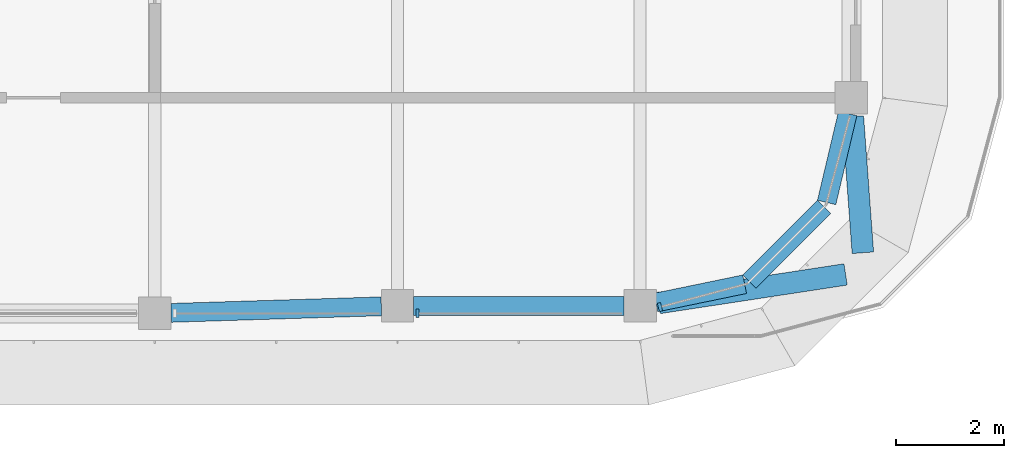
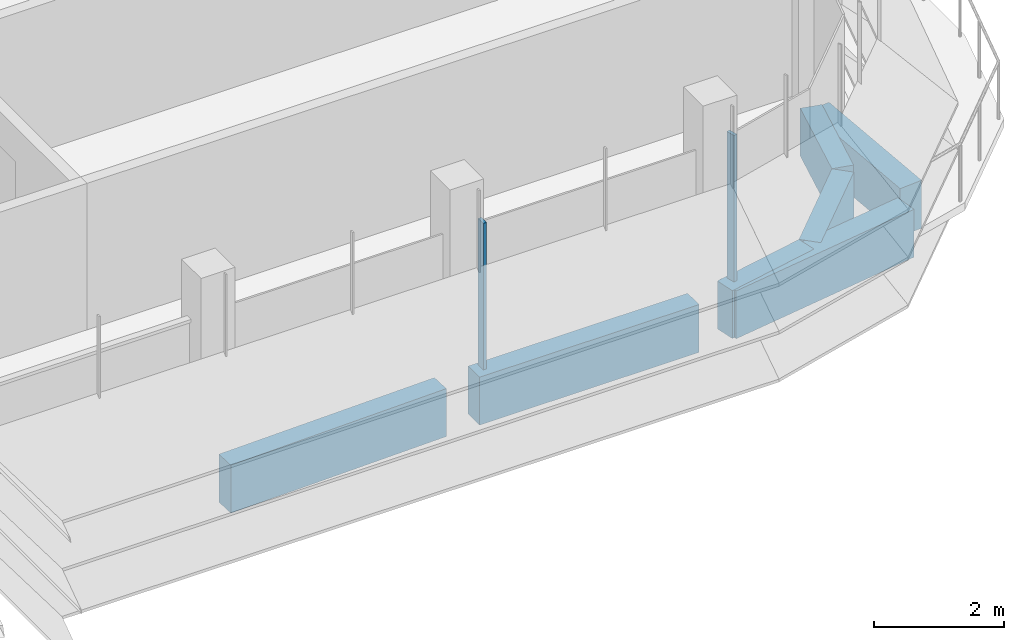
# One storey, part 5 of 20: 7 beams, 2 members, 2 elements without a shape of their own.
"""IFC4 building model written with IfcOpenShell, lengths in metres."""

from ifc_helpers import new_model, si_unit, direction, frame, origin, origin_2d, place, context, subcontext, project, spatial, polyline, rectangle, outline, extrude, source, transform, mapped, material, material_profile, profile_set, type_object, element, aggregate, save


model = new_model("IFC4")

# Units and contexts
model_context = context("Model", 3, precision=1e-05, world=origin(), true_north=direction((0.0, 1.0)))
body_context = subcontext(model_context, "Body", "Model", "MODEL_VIEW")
ifc_project = project(units=[si_unit("LENGTHUNIT", "METRE"), si_unit("AREAUNIT", "SQUARE_METRE"), si_unit("VOLUMEUNIT", "CUBIC_METRE"), si_unit("PLANEANGLEUNIT", "RADIAN"), si_unit("MASSUNIT", "GRAM", prefix="KILO")], contexts=[model_context])

# Site, building, storey
site_placement = place(None, origin())
site = spatial("IfcSite", under=ifc_project, at=site_placement, CompositionType="ELEMENT")
building_placement = place(site_placement, origin())
building = spatial("IfcBuilding", under=site, at=building_placement, Name="Zarbagh Exchange Tower", CompositionType="ELEMENT")
storey_placement = place(building_placement, frame((0.0, 0.0, 249.800048828125)))
storey = spatial("IfcBuildingStorey", under=building, at=storey_placement, Name="L61", CompositionType="ELEMENT", Elevation=249.800048828125)

# Beams
ifc_material_1 = material(Name="Concrete C40/50", Category="concrete")
ifc_material_profile_1 = material_profile(ifc_material_1, rectangle(XDim=0.35009765625, YDim=0.89990234375, at=origin_2d()), Name="RC spandrel beam 350 x 900 C40/50")
ifc_profile_set_1 = profile_set([ifc_material_profile_1], Name="Concrete C40/50")
beam_type_1 = type_object("IfcBeamType", Name="RC spandrel beam 350 x 900 C40/50", PredefinedType="SPANDREL", material=ifc_profile_set_1)
beam_1_placement = place(storey_placement, frame((28.600830078125, -2.5419921875, -0.60009765625), z_axis=(-0.230258391117, -0.973129525459, 0.0), x_axis=(0.973129525459, -0.230258391117, 0.0)))
element("IfcBeam", 1, at=beam_1_placement, inside=storey, type_object=beam_type_1, Name="RC spandrel beam", PredefinedType="SPANDREL", context=body_context, shape_type="SweptSolid", body=[
    extrude(rectangle(XDim=0.35009765625, YDim=0.89990234375, at=origin_2d()), origin(), (0.0, 0.0, 1.0), 1.696533203125),
])
beam_2_placement = place(storey_placement, frame((28.163818359375, -4.2763671875, -0.60009765625), z_axis=(-0.707106781187, -0.707106781187, 0.0), x_axis=(0.707106781187, -0.707106781187, 0.0)))
element("IfcBeam", 2, at=beam_2_placement, inside=storey, type_object=beam_type_1, Name="RC spandrel beam", PredefinedType="SPANDREL", context=body_context, shape_type="SweptSolid", body=[
    extrude(rectangle(XDim=0.35009765625, YDim=0.89990234375, at=origin_2d()), origin(), (0.0, 0.0, 1.0), 1.95947265625),
])
beam_3_placement = place(storey_placement, frame((26.68994140625, -5.70947265625, -0.60009765625), z_axis=(-0.979349753205, -0.202173343684, 0.0), x_axis=(0.202173343684, -0.979349753205, 0.0)))
element("IfcBeam", 3, at=beam_3_placement, inside=storey, type_object=beam_type_1, Name="RC spandrel beam", PredefinedType="SPANDREL", context=body_context, shape_type="SweptSolid", body=[
    extrude(rectangle(XDim=0.35009765625, YDim=0.89990234375, at=origin_2d()), origin(), (0.0, 0.0, 1.0), 1.680908203125),
])
beam_4_placement = place(storey_placement, frame((24.449951171875, -6.110107421875, -0.60009765625), z_axis=(-1.0, 0.0, 0.0), x_axis=(0.0, -1.0, 0.0)))
element("IfcBeam", 4, at=beam_4_placement, inside=storey, type_object=beam_type_1, Name="RC spandrel beam", PredefinedType="SPANDREL", context=body_context, shape_type="SweptSolid", body=[
    extrude(rectangle(XDim=0.35009765625, YDim=0.89990234375, at=origin_2d()), origin(), (0.0, 0.0, 1.0), 3.89990234375),
])
beam_5_placement = place(storey_placement, frame((19.9501953125, -6.119384765625, -0.60009765625), z_axis=(-0.999516460907, -0.031094121249, 0.0), x_axis=(0.031094121249, -0.999516460907, 0.0)))
element("IfcBeam", 5, at=beam_5_placement, inside=storey, type_object=beam_type_1, Name="RC spandrel beam", PredefinedType="SPANDREL", context=body_context, shape_type="SweptSolid", body=[
    extrude(rectangle(XDim=0.35009765625, YDim=0.89990234375, at=origin_2d()), origin(), (0.0, 0.0, 1.0), 3.90234375),
])
ifc_material_2 = material(Name="Concrete C50/60", Category="concrete")
ifc_material_profile_2 = material_profile(ifc_material_2, rectangle(XDim=0.39990234375, YDim=0.89990234375, at=origin_2d()), Name="RC spandrel beam 400 x 900 C50/60")
ifc_profile_set_2 = profile_set([ifc_material_profile_2], Name="Concrete C50/60")
beam_type_2 = type_object("IfcBeamType", Name="RC spandrel beam 400 x 900 C50/60", PredefinedType="SPANDREL", material=ifc_profile_set_2)
beam_6_placement = place(storey_placement, frame((28.69580078125, -2.59912109375, -0.60009765625), z_axis=(0.073520300379, -0.997293720742, 0.0), x_axis=(0.997293720742, 0.073520300379, 0.0)))
element("IfcBeam", 6, at=beam_6_placement, inside=storey, type_object=beam_type_2, Name="RC spandrel beam", PredefinedType="SPANDREL", context=body_context, shape_type="SweptSolid", body=[
    extrude(rectangle(XDim=0.39990234375, YDim=0.89990234375, at=origin_2d()), origin(), (0.0, 0.0, 1.0), 2.53369140625),
])
beam_7_placement = place(storey_placement, frame((28.56201171875, -5.52783203125, -0.60009765625), z_axis=(-0.988540131327, -0.150958301382, 0.0), x_axis=(0.150958301382, -0.988540131327, 0.0)))
element("IfcBeam", 7, at=beam_7_placement, inside=storey, type_object=beam_type_2, Name="RC spandrel beam", PredefinedType="SPANDREL", context=body_context, shape_type="SweptSolid", body=[
    extrude(rectangle(XDim=0.39990234375, YDim=0.89990234375, at=origin_2d()), origin(), (0.0, 0.0, 1.0), 3.50634765625),
])

# Curtain wall, member
ifc_material_3 = material(Name="Anodised aluminium frame and glazing", Category="aluminium")
curtain_wall_type = type_object("IfcCurtainWallType", Name="CWB Ribbon glazing, upper zones", PredefinedType="NOTDEFINED", material=ifc_material_3)
curtain_wall_1_placement = place(storey_placement, origin())
curtain_wall_1 = element("IfcCurtainWall", 8, at=curtain_wall_1_placement, inside=storey, type_object=curtain_wall_type, Name="CWB75 curtain wall", PredefinedType="NOTDEFINED")
ifc_material_4 = material(Name="Anodised aluminium frame", Category="aluminium")
member_type = type_object("IfcMemberType", Name="MUB Mullion, anodised aluminium frame", PredefinedType="MULLION", material=ifc_material_4)
shared_shape = source(origin(), body_context, "Body", "SweptSolid", [
    extrude(outline(polyline([(0.0, -0.080078125), (0.06005859375, -0.080078125), (0.06005859375, 0.080078125), (0.0, 0.080078125), (0.0, -0.080078125)])), origin(), (0.0, 0.0, 1.0), 2.75),
])
placement = place(storey_placement, origin())
member_1 = element("IfcMember", 9, at=placement, type_object=member_type, Name="CWB75 mullion 3.1", PredefinedType="MULLION", context=body_context, shape_type="MappedRepresentation", body=[
    mapped(shared_shape, transform((20.590087890625, -6.25, 0.0), x_axis=(1.0, 0.0, 0.0), y_axis=(0.0, 1.0, 0.0), z_axis=(0.0, 0.0, 1.0))),
])
aggregate(curtain_wall_1, [member_1])

curtain_wall_2_placement = place(storey_placement, origin())
curtain_wall_2 = element("IfcCurtainWall", 10, at=curtain_wall_2_placement, inside=storey, type_object=curtain_wall_type, Name="CWB76 curtain wall", PredefinedType="NOTDEFINED")
member_2 = element("IfcMember", 11, at=placement, type_object=member_type, Name="CWB76 mullion 1.1", PredefinedType="MULLION", context=body_context, shape_type="MappedRepresentation", body=[
    mapped(shared_shape, transform((25.08984375, -6.141357421875, 0.0), x_axis=(0.965924289636, 0.258824779902, 0.0), y_axis=(-0.258824779902, 0.965924289636, 0.0), z_axis=(0.0, 0.0, 1.0))),
])
aggregate(curtain_wall_2, [member_2])

save(model, "model.ifc")
